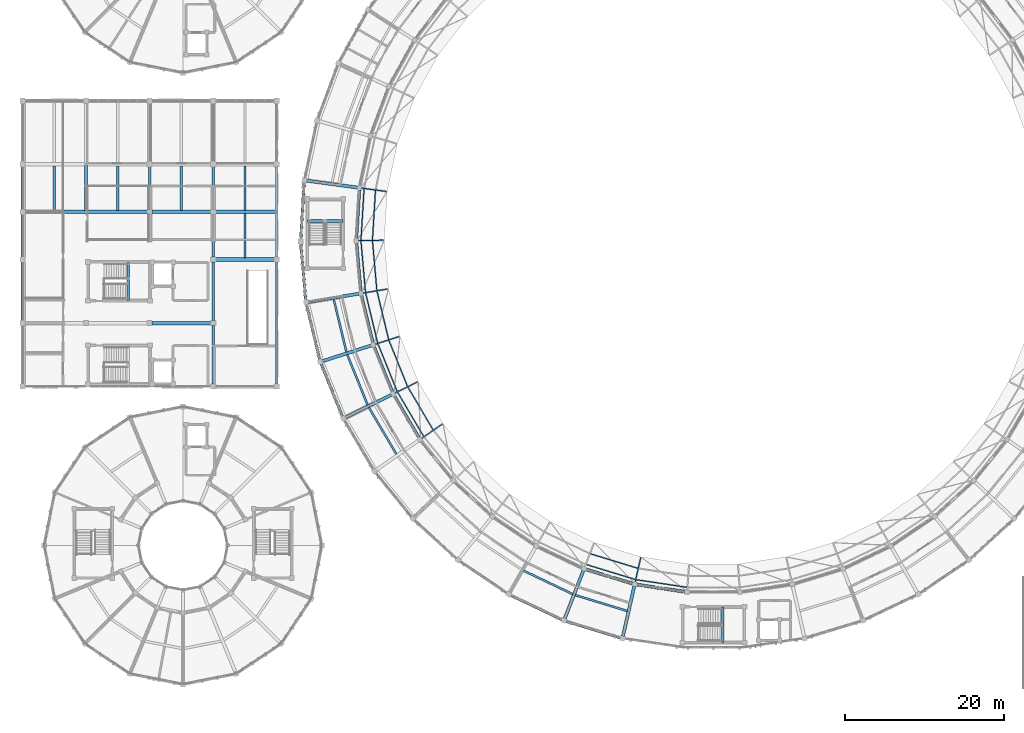
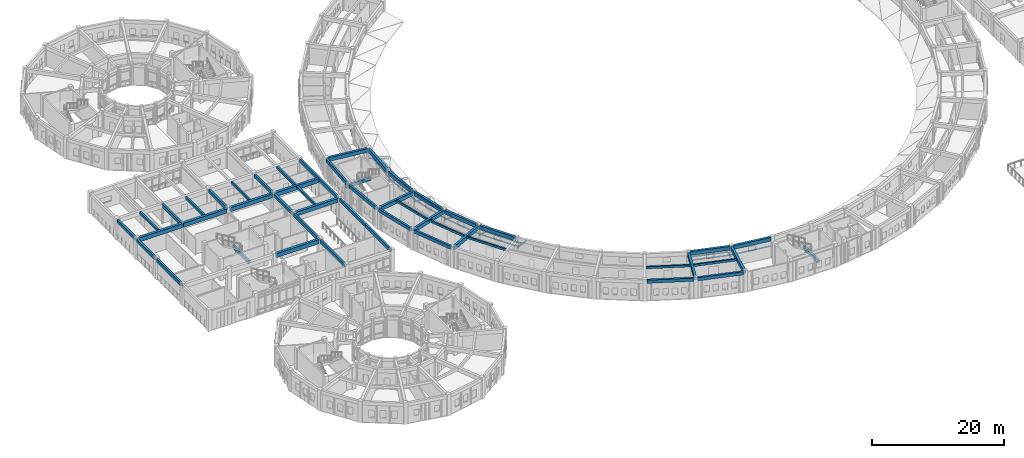
# One storey, part 20 of 112: 51 beams, 20 members.
"""IFC4 building model written with IfcOpenShell, lengths in metres."""

from ifc_helpers import new_model, si_unit, direction, frame, origin, origin_2d, place, context, subcontext, project, spatial, rectangle, i_section, extrude, material, material_profile, profile_set, type_object, element, save


model = new_model("IFC4")

# Units and contexts
model_context = context("Model", 3, precision=1e-05, world=origin(), true_north=direction((0.0, 1.0)))
body_context = subcontext(model_context, "Body", "Model", "MODEL_VIEW")
ifc_project = project(units=[si_unit("LENGTHUNIT", "METRE"), si_unit("AREAUNIT", "SQUARE_METRE"), si_unit("VOLUMEUNIT", "CUBIC_METRE"), si_unit("PLANEANGLEUNIT", "RADIAN"), si_unit("MASSUNIT", "GRAM", prefix="KILO")], contexts=[model_context])

# Site, building, storey
site_placement = place(None, origin())
site = spatial("IfcSite", under=ifc_project, at=site_placement, CompositionType="ELEMENT")
building_placement = place(site_placement, origin())
building = spatial("IfcBuilding", under=site, at=building_placement, Name="Celadon Cloister-Ring School", CompositionType="ELEMENT")
storey_placement = place(building_placement, frame((0.0, 0.0, 8.5)))
storey = spatial("IfcBuildingStorey", under=building, at=storey_placement, Name="L02", CompositionType="ELEMENT", Elevation=8.5)

# Beams
ifc_material_1 = material(Name="Concrete C35/45", Category="concrete")
ifc_material_profile_1 = material_profile(ifc_material_1, rectangle(XDim=0.35009765625, YDim=0.60009765625, at=origin_2d()), Name="RC350X600")
ifc_profile_set_1 = profile_set([ifc_material_profile_1], Name="Concrete C35/45")
beam_type_1 = type_object("IfcBeamType", Name="BT-02", PredefinedType="BEAM", material=ifc_profile_set_1)
beam_1_placement = place(storey_placement, frame((0.0, 48.300048828125, 3.4599609375), z_axis=(0.0, 1.0, 0.0), x_axis=(-1.0, 0.0, 0.0)))
element("IfcBeam", 1, at=beam_1_placement, inside=storey, type_object=beam_type_1, Name="Beam 1576", PredefinedType="BEAM", context=body_context, shape_type="SweptSolid", body=[
    extrude(rectangle(XDim=0.35009765625, YDim=0.60009765625, at=origin_2d()), origin(), (0.0, 0.0, 1.0), 7.39990234375),
])
for number, where, z_axis, x_axis, name in (
    (2, (0.0, 56.300048828125, 3.4599609375), (0.0, 1.0, 0.0), (-1.0, 0.0, 0.0), "Beam 1577"),
    (3, (0.0, 62.300048828125, 3.4599609375), (0.0, 1.0, 0.0), (-1.0, 0.0, 0.0), "Beam 1578"),
):
    element("IfcBeam", number, at=place(storey_placement, frame(where, z_axis=z_axis, x_axis=x_axis)), inside=storey, type_object=beam_type_1, Name=name, PredefinedType="BEAM", context=body_context, shape_type="SweptSolid", body=[
        extrude(rectangle(XDim=0.35009765625, YDim=0.60009765625, at=origin_2d()), origin(), (0.0, 0.0, 1.0), 5.39990234375),
    ])
beam_2_placement = place(storey_placement, frame((8.0, 62.0849609375, 3.4599609375), z_axis=(0.0, 1.0, 0.0), x_axis=(-1.0, 0.0, 0.0)))
element("IfcBeam", 4, at=beam_2_placement, inside=storey, type_object=beam_type_1, Name="Beam 1580", PredefinedType="BEAM", context=body_context, shape_type="SweptSolid", body=[
    extrude(rectangle(XDim=0.35009765625, YDim=0.60009765625, at=origin_2d()), origin(), (0.0, 0.0, 1.0), 5.830078125),
])
beam_3_placement = place(storey_placement, frame((16.0, 62.300048828125, 3.4599609375), z_axis=(0.0, 1.0, 0.0), x_axis=(-1.0, 0.0, 0.0)))
element("IfcBeam", 5, at=beam_3_placement, inside=storey, type_object=beam_type_1, Name="Beam 1582", PredefinedType="BEAM", context=body_context, shape_type="SweptSolid", body=[
    extrude(rectangle(XDim=0.35009765625, YDim=0.60009765625, at=origin_2d()), origin(), (0.0, 0.0, 1.0), 5.39990234375),
])
for number, where, z_axis, x_axis, name in (
    (6, (24.0, 40.300048828125, 3.4599609375), (0.0, 1.0, 0.0), (-1.0, 0.0, 0.0), "Beam 1584"),
    (7, (24.0, 48.300048828125, 3.4599609375), (0.0, 1.0, 0.0), (-1.0, 0.0, 0.0), "Beam 1585"),
):
    element("IfcBeam", number, at=place(storey_placement, frame(where, z_axis=z_axis, x_axis=x_axis)), inside=storey, type_object=beam_type_1, Name=name, PredefinedType="BEAM", context=body_context, shape_type="SweptSolid", body=[
        extrude(rectangle(XDim=0.35009765625, YDim=0.60009765625, at=origin_2d()), origin(), (0.0, 0.0, 1.0), 7.39990234375),
    ])
for number, where, z_axis, x_axis, name in (
    (8, (24.0, 56.300048828125, 3.4599609375), (0.0, 1.0, 0.0), (-1.0, 0.0, 0.0), "Beam 1586"),
    (9, (24.0, 62.300048828125, 3.4599609375), (0.0, 1.0, 0.0), (-1.0, 0.0, 0.0), "Beam 1587"),
):
    element("IfcBeam", number, at=place(storey_placement, frame(where, z_axis=z_axis, x_axis=x_axis)), inside=storey, type_object=beam_type_1, Name=name, PredefinedType="BEAM", context=body_context, shape_type="SweptSolid", body=[
        extrude(rectangle(XDim=0.35009765625, YDim=0.60009765625, at=origin_2d()), origin(), (0.0, 0.0, 1.0), 5.39990234375),
    ])
for number, where, z_axis, x_axis, name in (
    (10, (32.0, 40.300048828125, 3.4599609375), (0.0, 1.0, 0.0), (-1.0, 0.0, 0.0), "Beam 1589"),
    (11, (32.0, 48.0849609375, 3.4599609375), (0.0, 1.0, 0.0), (-1.0, 0.0, 0.0), "Beam 1590"),
):
    element("IfcBeam", number, at=place(storey_placement, frame(where, z_axis=z_axis, x_axis=x_axis)), inside=storey, type_object=beam_type_1, Name=name, PredefinedType="BEAM", context=body_context, shape_type="SweptSolid", body=[
        extrude(rectangle(XDim=0.35009765625, YDim=0.60009765625, at=origin_2d()), origin(), (0.0, 0.0, 1.0), 7.614990234375),
    ])
for number, where, z_axis, x_axis, name in (
    (12, (32.0, 56.300048828125, 3.4599609375), (0.0, 1.0, 0.0), (-1.0, 0.0, 0.0), "Beam 1591"),
    (13, (32.0, 62.0849609375, 3.4599609375), (0.0, 1.0, 0.0), (-1.0, 0.0, 0.0), "Beam 1592"),
):
    element("IfcBeam", number, at=place(storey_placement, frame(where, z_axis=z_axis, x_axis=x_axis)), inside=storey, type_object=beam_type_1, Name=name, PredefinedType="BEAM", context=body_context, shape_type="SweptSolid", body=[
        extrude(rectangle(XDim=0.35009765625, YDim=0.60009765625, at=origin_2d()), origin(), (0.0, 0.0, 1.0), 5.614990234375),
    ])
beam_4_placement = place(storey_placement, frame((13.300048828125, 50.85009765625, 1.39990234375), z_axis=(0.0, 1.0, 0.0), x_axis=(-1.0, 0.0, 0.0)))
element("IfcBeam", 14, at=beam_4_placement, inside=storey, type_object=beam_type_1, Name="Stair Landing Beam 1728", PredefinedType="BEAM", context=body_context, shape_type="SweptSolid", body=[
    extrude(rectangle(XDim=0.35009765625, YDim=0.60009765625, at=origin_2d()), origin(), (0.0, 0.0, 1.0), 4.7998046875),
])
beam_5_placement = place(storey_placement, frame((88.14990234375, 7.800048828125, 1.39990234375), z_axis=(0.0, 1.0, 0.0), x_axis=(-1.0, 0.0, 0.0)))
element("IfcBeam", 15, at=beam_5_placement, inside=storey, type_object=beam_type_1, Name="Stair Landing Beam 1753", PredefinedType="BEAM", context=body_context, shape_type="SweptSolid", body=[
    extrude(rectangle(XDim=0.35009765625, YDim=0.60009765625, at=origin_2d()), origin(), (0.0, 0.0, 1.0), 4.419921875),
])
beam_6_placement = place(storey_placement, frame((35.89990234375, 60.85009765625, 1.39990234375), z_axis=(1.0, 0.0, 0.0), x_axis=(0.0, 1.0, 0.0)))
element("IfcBeam", 16, at=beam_6_placement, inside=storey, type_object=beam_type_1, Name="Stair Landing Beam 1756", PredefinedType="BEAM", context=body_context, shape_type="SweptSolid", body=[
    extrude(rectangle(XDim=0.35009765625, YDim=0.60009765625, at=origin_2d()), origin(), (0.0, 0.0, 1.0), 4.420166015625),
])
ifc_material_2 = material(Name="Concrete C35/45", Category="concrete")
ifc_material_profile_2 = material_profile(ifc_material_2, rectangle(XDim=0.449951171875, YDim=0.75, at=origin_2d()), Name="RC450X750")
ifc_profile_set_2 = profile_set([ifc_material_profile_2], Name="Concrete C35/45")
beam_type_2 = type_object("IfcBeamType", Name="GT-02", PredefinedType="USERDEFINED", material=ifc_profile_set_2)
for number, where, z_axis, x_axis, name in (
    (17, (16.300048828125, 48.0, 3.385009765625), (1.0, 0.0, 0.0), (0.0, 1.0, 0.0), "Beam 1561"),
    (18, (24.300048828125, 56.0, 3.385009765625), (1.0, 0.0, 0.0), (0.0, 1.0, 0.0), "Beam 1562"),
):
    element("IfcBeam", number, at=place(storey_placement, frame(where, z_axis=z_axis, x_axis=x_axis)), inside=storey, type_object=beam_type_2, Name=name, ObjectType="GIRDER", PredefinedType="USERDEFINED", context=body_context, shape_type="SweptSolid", body=[
        extrude(rectangle(XDim=0.449951171875, YDim=0.75, at=origin_2d()), origin(), (0.0, 0.0, 1.0), 7.39990234375),
    ])
for number, where, z_axis, x_axis, name in (
    (19, (0.300048828125, 62.0, 3.385009765625), (1.0, 0.0, 0.0), (0.0, 1.0, 0.0), "Beam 1563"),
    (20, (8.0849609375, 62.0, 3.385009765625), (1.0, 0.0, 0.0), (0.0, 1.0, 0.0), "Beam 1564"),
):
    element("IfcBeam", number, at=place(storey_placement, frame(where, z_axis=z_axis, x_axis=x_axis)), inside=storey, type_object=beam_type_2, Name=name, ObjectType="GIRDER", PredefinedType="USERDEFINED", context=body_context, shape_type="SweptSolid", body=[
        extrude(rectangle(XDim=0.449951171875, YDim=0.75, at=origin_2d()), origin(), (0.0, 0.0, 1.0), 7.614990234375),
    ])
beam_7_placement = place(storey_placement, frame((16.300048828125, 62.0, 3.385009765625), z_axis=(1.0, 0.0, 0.0), x_axis=(0.0, 1.0, 0.0)))
element("IfcBeam", 21, at=beam_7_placement, inside=storey, type_object=beam_type_2, Name="Beam 1565", ObjectType="GIRDER", PredefinedType="USERDEFINED", context=body_context, shape_type="SweptSolid", body=[
    extrude(rectangle(XDim=0.449951171875, YDim=0.75, at=origin_2d()), origin(), (0.0, 0.0, 1.0), 7.39990234375),
])
beam_8_placement = place(storey_placement, frame((24.300048828125, 62.0, 3.385009765625), z_axis=(1.0, 0.0, 0.0), x_axis=(0.0, 1.0, 0.0)))
element("IfcBeam", 22, at=beam_8_placement, inside=storey, type_object=beam_type_2, Name="Beam 1566", ObjectType="GIRDER", PredefinedType="USERDEFINED", context=body_context, shape_type="SweptSolid", body=[
    extrude(rectangle(XDim=0.449951171875, YDim=0.75, at=origin_2d()), origin(), (0.0, 0.0, 1.0), 7.614990234375),
])
ifc_material_3 = material(Name="Concrete C35/45", Category="concrete")
ifc_material_profile_3 = material_profile(ifc_material_3, rectangle(XDim=0.39990234375, YDim=0.699951171875, at=origin_2d()), Name="RC400X700")
ifc_profile_set_3 = profile_set([ifc_material_profile_3], Name="Concrete C35/45")
beam_type_3 = type_object("IfcBeamType", Name="GT-03", PredefinedType="USERDEFINED", material=ifc_profile_set_3)
beam_9_placement = place(storey_placement, frame((35.741943359375, 65.93408203125, 3.449951171875), z_axis=(0.990969152205, -0.134090042056, 0.0), x_axis=(0.134090042056, 0.990969152205, 0.0)))
element("IfcBeam", 23, at=beam_9_placement, inside=storey, type_object=beam_type_3, Name="Beam 0403", ObjectType="GIRDER", PredefinedType="USERDEFINED", context=body_context, shape_type="SweptSolid", body=[
    extrude(rectangle(XDim=0.39990234375, YDim=0.699951171875, at=origin_2d()), origin(), (0.0, 0.0, 1.0), 6.474365234375),
])
beam_10_placement = place(storey_placement, frame((35.952880859375, 50.65087890625, 3.449951171875), z_axis=(0.986862671794, 0.161561341355, 0.0), x_axis=(-0.161561341355, 0.986862671794, 0.0)))
element("IfcBeam", 24, at=beam_10_placement, inside=storey, type_object=beam_type_3, Name="Beam 0404", ObjectType="GIRDER", PredefinedType="USERDEFINED", context=body_context, shape_type="SweptSolid", body=[
    extrude(rectangle(XDim=0.39990234375, YDim=0.699951171875, at=origin_2d()), origin(), (0.0, 0.0, 1.0), 6.47509765625),
])
beam_11_placement = place(storey_placement, frame((37.7470703125, 43.201904296875, 3.449951171875), z_axis=(0.952190069452, 0.305506254661, 0.0), x_axis=(-0.305506254661, 0.952190069452, 0.0)))
element("IfcBeam", 25, at=beam_11_placement, inside=storey, type_object=beam_type_3, Name="Beam 0405", ObjectType="GIRDER", PredefinedType="USERDEFINED", context=body_context, shape_type="SweptSolid", body=[
    extrude(rectangle(XDim=0.39990234375, YDim=0.699951171875, at=origin_2d()), origin(), (0.0, 0.0, 1.0), 6.474609375),
])
beam_12_placement = place(storey_placement, frame((40.6220703125, 36.09912109375, 3.449951171875), z_axis=(0.896670978235, 0.442697590676, 0.0), x_axis=(-0.442697590676, 0.896670978235, 0.0)))
element("IfcBeam", 26, at=beam_12_placement, inside=storey, type_object=beam_type_3, Name="Beam 0406", ObjectType="GIRDER", PredefinedType="USERDEFINED", context=body_context, shape_type="SweptSolid", body=[
    extrude(rectangle(XDim=0.39990234375, YDim=0.699951171875, at=origin_2d()), origin(), (0.0, 0.0, 1.0), 6.473876953125),
])
for number, where, z_axis, x_axis, name in (
    (27, (68.261962890625, 10.7880859375, 3.449951171875), (0.362135117288, 0.932125612151, 0.0), (-0.932125612151, 0.362135117288, 0.0), "Beam 0411"),
    (28, (75.590087890625, 8.549072265625, 3.449951171875), (0.220525868095, 0.975381126279, 0.0), (-0.975381126279, 0.220525868095, 0.0), "Beam 0412"),
):
    element("IfcBeam", number, at=place(storey_placement, frame(where, z_axis=z_axis, x_axis=x_axis)), inside=storey, type_object=beam_type_3, Name=name, ObjectType="GIRDER", PredefinedType="USERDEFINED", context=body_context, shape_type="SweptSolid", body=[
        extrude(rectangle(XDim=0.39990234375, YDim=0.699951171875, at=origin_2d()), origin(), (0.0, 0.0, 1.0), 6.475341796875),
    ])
beam_13_placement = place(storey_placement, frame((42.39111328125, 64.781982421875, 3.449951171875), z_axis=(-0.060349198433, -0.998177326054, 0.0), x_axis=(0.998177326054, -0.060349198433, 0.0)))
element("IfcBeam", 29, at=beam_13_placement, inside=storey, type_object=beam_type_3, Name="Beam 0448", ObjectType="GIRDER", PredefinedType="USERDEFINED", context=body_context, shape_type="SweptSolid", body=[
    extrude(rectangle(XDim=0.39990234375, YDim=0.699951171875, at=origin_2d()), origin(), (0.0, 0.0, 1.0), 6.165283203125),
])
beam_14_placement = place(storey_placement, frame((42.02587890625, 58.12890625, 3.449951171875), z_axis=(0.087929628242, -0.996126688969, 0.0), x_axis=(0.996126688969, 0.087929628242, 0.0)))
element("IfcBeam", 30, at=beam_14_placement, inside=storey, type_object=beam_type_3, Name="Beam 0450", ObjectType="GIRDER", PredefinedType="USERDEFINED", context=body_context, shape_type="SweptSolid", body=[
    extrude(rectangle(XDim=0.39990234375, YDim=0.699951171875, at=origin_2d()), origin(), (0.0, 0.0, 1.0), 6.166748046875),
])
for number, where, z_axis, x_axis, name in (
    (31, (42.64892578125, 51.493896484375, 3.449951171875), (0.233889575607, -0.972263167266, 0.0), (0.972263167266, 0.233889575607, 0.0), "Beam 0452"),
    (32, (44.243896484375, 45.02392578125, 3.449951171875), (0.375114995273, -0.926978284709, 0.0), (0.926978284709, 0.375114995273, 0.0), "Beam 0455"),
):
    element("IfcBeam", number, at=place(storey_placement, frame(where, z_axis=z_axis, x_axis=x_axis)), inside=storey, type_object=beam_type_3, Name=name, ObjectType="GIRDER", PredefinedType="USERDEFINED", context=body_context, shape_type="SweptSolid", body=[
        extrude(rectangle(XDim=0.39990234375, YDim=0.699951171875, at=origin_2d()), origin(), (0.0, 0.0, 1.0), 6.166015625),
    ])
beam_15_placement = place(storey_placement, frame((46.778076171875, 38.861083984375, 3.449951171875), z_axis=(0.507926281774, -0.861400541144, 0.0), x_axis=(0.861400541144, 0.507926281774, 0.0)))
element("IfcBeam", 33, at=beam_15_placement, inside=storey, type_object=beam_type_3, Name="Beam 0458", ObjectType="GIRDER", PredefinedType="USERDEFINED", context=body_context, shape_type="SweptSolid", body=[
    extrude(rectangle(XDim=0.39990234375, YDim=0.699951171875, at=origin_2d()), origin(), (0.0, 0.0, 1.0), 6.16796875),
])
beam_16_placement = place(storey_placement, frame((70.93701171875, 16.98388671875, 3.449951171875), z_axis=(0.956344808861, -0.292240665488, 0.0), x_axis=(0.292240665488, 0.956344808861, 0.0)))
element("IfcBeam", 34, at=beam_16_placement, inside=storey, type_object=beam_type_3, Name="Beam 0473", ObjectType="GIRDER", PredefinedType="USERDEFINED", context=body_context, shape_type="SweptSolid", body=[
    extrude(rectangle(XDim=0.39990234375, YDim=0.699951171875, at=origin_2d()), origin(), (0.0, 0.0, 1.0), 6.166259765625),
])
beam_17_placement = place(storey_placement, frame((77.320068359375, 15.072021484375, 3.449951171875), z_axis=(0.989027626238, -0.147730682454, 0.0), x_axis=(0.147730682454, 0.989027626238, 0.0)))
element("IfcBeam", 35, at=beam_17_placement, inside=storey, type_object=beam_type_3, Name="Beam 0475", ObjectType="GIRDER", PredefinedType="USERDEFINED", context=body_context, shape_type="SweptSolid", body=[
    extrude(rectangle(XDim=0.39990234375, YDim=0.699951171875, at=origin_2d()), origin(), (0.0, 0.0, 1.0), 6.16748046875),
])
ifc_material_4 = material(Name="Concrete C35/45", Category="concrete")
ifc_material_profile_4 = material_profile(ifc_material_4, rectangle(XDim=0.300048828125, YDim=0.449951171875, at=origin_2d()), Name="RC300X450")
ifc_profile_set_4 = profile_set([ifc_material_profile_4], Name="Concrete C35/45")
beam_type_4 = type_object("IfcBeamType", Name="JT-01", PredefinedType="JOIST", material=ifc_profile_set_4)
for number, where, z_axis, x_axis, name in (
    (36, (4.0, 62.199951171875, 3.534912109375), (0.0, 1.0, 0.0), (-1.0, 0.0, 0.0), "Beam 1594"),
    (37, (12.0, 62.199951171875, 3.534912109375), (0.0, 1.0, 0.0), (-1.0, 0.0, 0.0), "Beam 1596"),
    (38, (20.0, 62.199951171875, 3.534912109375), (0.0, 1.0, 0.0), (-1.0, 0.0, 0.0), "Beam 1598"),
    (39, (28.0, 56.199951171875, 3.534912109375), (0.0, 1.0, 0.0), (-1.0, 0.0, 0.0), "Beam 1600"),
    (40, (28.0, 62.199951171875, 3.534912109375), (0.0, 1.0, 0.0), (-1.0, 0.0, 0.0), "Beam 1601"),
):
    element("IfcBeam", number, at=place(storey_placement, frame(where, z_axis=z_axis, x_axis=x_axis)), inside=storey, type_object=beam_type_4, Name=name, PredefinedType="JOIST", context=body_context, shape_type="SweptSolid", body=[
        extrude(rectangle(XDim=0.300048828125, YDim=0.449951171875, at=origin_2d()), origin(), (0.0, 0.0, 1.0), 5.60009765625),
    ])
ifc_material_5 = material(Name="Concrete C35/45", Category="concrete")
ifc_material_profile_5 = material_profile(ifc_material_5, rectangle(XDim=0.25, YDim=0.39990234375, at=origin_2d()), Name="RC250X400")
ifc_profile_set_5 = profile_set([ifc_material_profile_5], Name="Concrete C35/45")
beam_type_5 = type_object("IfcBeamType", Name="JT-02", PredefinedType="JOIST", material=ifc_profile_set_5)
beam_18_placement = place(storey_placement, frame((39.177001953125, 51.001953125, 3.60009765625), z_axis=(0.234105107491, -0.972211293211, 0.0), x_axis=(0.972211293211, 0.234105107491, 0.0)))
element("IfcBeam", 41, at=beam_18_placement, inside=storey, type_object=beam_type_5, Name="Beam 0453", PredefinedType="JOIST", context=body_context, shape_type="SweptSolid", body=[
    extrude(rectangle(XDim=0.25, YDim=0.39990234375, at=origin_2d()), origin(), (0.0, 0.0, 1.0), 6.8349609375),
])
beam_19_placement = place(storey_placement, frame((40.884033203125, 44.02490234375, 3.60009765625), z_axis=(0.374947237953, -0.927046152439, 0.0), x_axis=(0.927046152439, 0.374947237953, 0.0)))
element("IfcBeam", 42, at=beam_19_placement, inside=storey, type_object=beam_type_5, Name="Beam 0456", PredefinedType="JOIST", context=body_context, shape_type="SweptSolid", body=[
    extrude(rectangle(XDim=0.25, YDim=0.39990234375, at=origin_2d()), origin(), (0.0, 0.0, 1.0), 6.835693359375),
])
beam_20_placement = place(storey_placement, frame((43.60205078125, 37.375, 3.60009765625), z_axis=(0.507998611561, -0.861357887671, 0.0), x_axis=(0.861357887671, 0.507998611561, 0.0)))
element("IfcBeam", 43, at=beam_20_placement, inside=storey, type_object=beam_type_5, Name="Beam 0459", PredefinedType="JOIST", context=body_context, shape_type="SweptSolid", body=[
    extrude(rectangle(XDim=0.25, YDim=0.39990234375, at=origin_2d()), origin(), (0.0, 0.0, 1.0), 6.83447265625),
])
beam_21_placement = place(storey_placement, frame((63.10205078125, 16.81103515625, 3.60009765625), z_axis=(0.902698033941, -0.43027463267, 0.0), x_axis=(0.43027463267, 0.902698033941, 0.0)))
element("IfcBeam", 44, at=beam_21_placement, inside=storey, type_object=beam_type_5, Name="Beam 0471", PredefinedType="JOIST", context=body_context, shape_type="SweptSolid", body=[
    extrude(rectangle(XDim=0.25, YDim=0.39990234375, at=origin_2d()), origin(), (0.0, 0.0, 1.0), 6.8349609375),
])
beam_22_placement = place(storey_placement, frame((69.596923828125, 13.743896484375, 3.60009765625), z_axis=(0.956337152336, -0.292265719957, 0.0), x_axis=(0.292265719957, 0.956337152336, 0.0)))
element("IfcBeam", 45, at=beam_22_placement, inside=storey, type_object=beam_type_5, Name="Beam 0474", PredefinedType="JOIST", context=body_context, shape_type="SweptSolid", body=[
    extrude(rectangle(XDim=0.25, YDim=0.39990234375, at=origin_2d()), origin(), (0.0, 0.0, 1.0), 6.83544921875),
])

# Members
ifc_material_6 = material(Name="Structural steel S355JR", Category="steel")
ifc_material_profile_6 = material_profile(ifc_material_6, i_section(OverallWidth=0.133056640625, OverallDepth=0.20703125, WebThickness=0.005859375, FlangeThickness=0.00830078125, at=origin_2d()), Name="W200X27")
ifc_profile_set_6 = profile_set([ifc_material_profile_6], Name="Structural steel S355JR")
member_type_1 = type_object("IfcMemberType", Name="MP-04", PredefinedType="PURLIN", material=ifc_profile_set_6)
member_1_placement = place(storey_placement, frame((44.43798828125, 64.758056640625, 1.23291015625), z_axis=(-0.060347953428, -0.998177401326, 0.0), x_axis=(0.998177401326, -0.060347953428, 0.0)))
element("IfcMember", 46, at=member_1_placement, inside=storey, type_object=member_type_1, Name="Structural Member 0105", PredefinedType="PURLIN", context=body_context, shape_type="SweptSolid", body=[
    extrude(i_section(OverallWidth=0.133056640625, OverallDepth=0.20703125, WebThickness=0.005859375, FlangeThickness=0.00830078125, at=origin_2d()), origin(), (0.0, 0.0, 1.0), 6.36376953125),
])
member_2_placement = place(storey_placement, frame((43.0009765625, 64.951904296875, 1.62890625), z_axis=(-0.060349383282, -0.998177314878, 0.0), x_axis=(0.998177314878, -0.060349383282, 0.0)))
element("IfcMember", 47, at=member_2_placement, inside=storey, type_object=member_type_1, Name="Structural Member 0106", PredefinedType="PURLIN", context=body_context, shape_type="SweptSolid", body=[
    extrude(i_section(OverallWidth=0.133056640625, OverallDepth=0.20703125, WebThickness=0.005859375, FlangeThickness=0.00830078125, at=origin_2d()), origin(), (0.0, 0.0, 1.0), 6.577880859375),
])
member_3_placement = place(storey_placement, frame((44.053955078125, 58.406005859375, 1.23291015625), z_axis=(0.087871413003, -0.996131826003, 0.0), x_axis=(0.996131826003, 0.087871413003, 0.0)))
element("IfcMember", 48, at=member_3_placement, inside=storey, type_object=member_type_1, Name="Structural Member 0110", PredefinedType="PURLIN", context=body_context, shape_type="SweptSolid", body=[
    extrude(i_section(OverallWidth=0.133056640625, OverallDepth=0.20703125, WebThickness=0.005859375, FlangeThickness=0.00830078125, at=origin_2d()), origin(), (0.0, 0.0, 1.0), 6.362548828125),
])
member_4_placement = place(storey_placement, frame((42.60400390625, 58.385986328125, 1.62890625), z_axis=(0.087858062359, -0.996133003609, 0.0), x_axis=(0.996133003609, 0.087858062359, 0.0)))
element("IfcMember", 49, at=member_4_placement, inside=storey, type_object=member_type_1, Name="Structural Member 0111", PredefinedType="PURLIN", context=body_context, shape_type="SweptSolid", body=[
    extrude(i_section(OverallWidth=0.133056640625, OverallDepth=0.20703125, WebThickness=0.005859375, FlangeThickness=0.00830078125, at=origin_2d()), origin(), (0.0, 0.0, 1.0), 6.577392578125),
])
member_5_placement = place(storey_placement, frame((44.613037109375, 52.068115234375, 1.23291015625), z_axis=(0.234021599775, -0.972231397785, 0.0), x_axis=(0.972231397785, 0.234021599775, 0.0)))
element("IfcMember", 50, at=member_5_placement, inside=storey, type_object=member_type_1, Name="Structural Member 0115", PredefinedType="PURLIN", context=body_context, shape_type="SweptSolid", body=[
    extrude(i_section(OverallWidth=0.133056640625, OverallDepth=0.20703125, WebThickness=0.005859375, FlangeThickness=0.00830078125, at=origin_2d()), origin(), (0.0, 0.0, 1.0), 6.36279296875),
])
member_6_placement = place(storey_placement, frame((43.181884765625, 51.833984375, 1.62890625), z_axis=(0.234125302045, -0.97220643021, 0.0), x_axis=(0.97220643021, 0.234125302045, 0.0)))
element("IfcMember", 51, at=member_6_placement, inside=storey, type_object=member_type_1, Name="Structural Member 0116", PredefinedType="PURLIN", context=body_context, shape_type="SweptSolid", body=[
    extrude(i_section(OverallWidth=0.133056640625, OverallDepth=0.20703125, WebThickness=0.005859375, FlangeThickness=0.00830078125, at=origin_2d()), origin(), (0.0, 0.0, 1.0), 6.577880859375),
])
member_7_placement = place(storey_placement, frame((46.10205078125, 45.882080078125, 1.23291015625), z_axis=(0.375138594984, -0.926968734399, 0.0), x_axis=(0.926968734399, 0.375138594984, 0.0)))
element("IfcMember", 52, at=member_7_placement, inside=storey, type_object=member_type_1, Name="Structural Member 0120", PredefinedType="PURLIN", context=body_context, shape_type="SweptSolid", body=[
    extrude(i_section(OverallWidth=0.133056640625, OverallDepth=0.20703125, WebThickness=0.005859375, FlangeThickness=0.00830078125, at=origin_2d()), origin(), (0.0, 0.0, 1.0), 6.36279296875),
])
member_8_placement = place(storey_placement, frame((44.721923828125, 45.43896484375, 1.62890625), z_axis=(0.375093275843, -0.92698707349, 0.0), x_axis=(0.92698707349, 0.375093275843, 0.0)))
element("IfcMember", 53, at=member_8_placement, inside=storey, type_object=member_type_1, Name="Structural Member 0121", PredefinedType="PURLIN", context=body_context, shape_type="SweptSolid", body=[
    extrude(i_section(OverallWidth=0.133056640625, OverallDepth=0.20703125, WebThickness=0.005859375, FlangeThickness=0.00830078125, at=origin_2d()), origin(), (0.0, 0.0, 1.0), 6.5771484375),
])
member_9_placement = place(storey_placement, frame((48.489013671875, 39.98388671875, 1.23291015625), z_axis=(0.507935382075, -0.861395175071, 0.0), x_axis=(0.861395175071, 0.507935382075, 0.0)))
element("IfcMember", 54, at=member_9_placement, inside=storey, type_object=member_type_1, Name="Structural Member 0125", PredefinedType="PURLIN", context=body_context, shape_type="SweptSolid", body=[
    extrude(i_section(OverallWidth=0.133056640625, OverallDepth=0.20703125, WebThickness=0.005859375, FlangeThickness=0.00830078125, at=origin_2d()), origin(), (0.0, 0.0, 1.0), 6.36279296875),
])
member_10_placement = place(storey_placement, frame((47.18896484375, 39.342041015625, 1.62890625), z_axis=(0.507936297224, -0.861394635439, 0.0), x_axis=(0.861394635439, 0.507936297224, 0.0)))
element("IfcMember", 55, at=member_10_placement, inside=storey, type_object=member_type_1, Name="Structural Member 0126", PredefinedType="PURLIN", context=body_context, shape_type="SweptSolid", body=[
    extrude(i_section(OverallWidth=0.133056640625, OverallDepth=0.20703125, WebThickness=0.005859375, FlangeThickness=0.00830078125, at=origin_2d()), origin(), (0.0, 0.0, 1.0), 6.57763671875),
])
member_11_placement = place(storey_placement, frame((71.43994140625, 18.968017578125, 1.23291015625), z_axis=(0.956315821171, -0.292335509609, 0.0), x_axis=(0.292335509609, 0.956315821171, 0.0)))
element("IfcMember", 56, at=member_11_placement, inside=storey, type_object=member_type_1, Name="Structural Member 0151", PredefinedType="PURLIN", context=body_context, shape_type="SweptSolid", body=[
    extrude(i_section(OverallWidth=0.133056640625, OverallDepth=0.20703125, WebThickness=0.005859375, FlangeThickness=0.00830078125, at=origin_2d()), origin(), (0.0, 0.0, 1.0), 6.363037109375),
])
member_12_placement = place(storey_placement, frame((70.9150390625, 17.615966796875, 1.62890625), z_axis=(0.956367704077, -0.292165731391, 0.0), x_axis=(0.292165731391, 0.956367704077, 0.0)))
element("IfcMember", 57, at=member_12_placement, inside=storey, type_object=member_type_1, Name="Structural Member 0152", PredefinedType="PURLIN", context=body_context, shape_type="SweptSolid", body=[
    extrude(i_section(OverallWidth=0.133056640625, OverallDepth=0.20703125, WebThickness=0.005859375, FlangeThickness=0.00830078125, at=origin_2d()), origin(), (0.0, 0.0, 1.0), 6.578125),
])
member_13_placement = place(storey_placement, frame((77.2060546875, 15.694091796875, 1.62890625), z_axis=(0.989015714028, -0.147810410346, 0.0), x_axis=(0.147810410346, 0.989015714028, 0.0)))
element("IfcMember", 58, at=member_13_placement, inside=storey, type_object=member_type_1, Name="Structural Member 0158", PredefinedType="PURLIN", context=body_context, shape_type="SweptSolid", body=[
    extrude(i_section(OverallWidth=0.133056640625, OverallDepth=0.20703125, WebThickness=0.005859375, FlangeThickness=0.00830078125, at=origin_2d()), origin(), (0.0, 0.0, 1.0), 6.5771484375),
])
ifc_material_7 = material(Name="Structural steel S355JR", Category="steel")
ifc_material_profile_7 = material_profile(ifc_material_7, i_section(OverallWidth=0.14599609375, OverallDepth=0.258056640625, WebThickness=0.006103515625, FlangeThickness=0.009033203125, at=origin_2d()), Name="W250X33")
ifc_profile_set_7 = profile_set([ifc_material_profile_7], Name="Structural steel S355JR")
member_type_2 = type_object("IfcMemberType", Name="MR-06", PredefinedType="RAFTER", material=ifc_profile_set_7)
member_14_placement = place(storey_placement, frame((45.77490234375, 64.576904296875, 0.912109375), z_axis=(-0.957236045192, 0.129495151325, 0.258708638372), x_axis=(-0.134059140757, -0.990973333032, 0.0)))
element("IfcMember", 59, at=member_14_placement, inside=storey, type_object=member_type_2, Name="Structural Member 0013", PredefinedType="RAFTER", context=body_context, shape_type="SweptSolid", body=[
    extrude(i_section(OverallWidth=0.14599609375, OverallDepth=0.258056640625, WebThickness=0.006103515625, FlangeThickness=0.009033203125, at=origin_2d()), origin(), (0.0, 0.0, 1.0), 3.467041015625),
])
member_15_placement = place(storey_placement, frame((45.404052734375, 58.425048828125, 0.912109375), z_axis=(-0.965889578499, -0.013303682432, 0.258612324108), x_axis=(0.01377219611, -0.99990515881, 0.0)))
element("IfcMember", 60, at=member_15_placement, inside=storey, type_object=member_type_2, Name="Structural Member 0015", PredefinedType="RAFTER", context=body_context, shape_type="SweptSolid", body=[
    extrude(i_section(OverallWidth=0.14599609375, OverallDepth=0.258056640625, WebThickness=0.006103515625, FlangeThickness=0.009033203125, at=origin_2d()), origin(), (0.0, 0.0, 1.0), 3.468505859375),
])
for number, where, z_axis, x_axis, name in (
    (61, (45.945068359375, 52.285888671875, 0.9130859375), (-0.953306829069, -0.155927826495, 0.258636042682), (0.161420173222, -0.986885772355, 0.0), "Structural Member 0017"),
    (62, (47.387939453125, 46.2939453125, 0.912109375), (-0.919833588762, -0.294971891697, 0.258645997636), (0.305362720103, -0.952236109991, 0.0), "Structural Member 0019"),
    (63, (49.699951171875, 40.5810546875, 0.9130859375), (-0.86615179345, -0.427655408421, 0.258634727661), (0.442718830222, -0.896660491695, 0.0), "Structural Member 0021"),
):
    element("IfcMember", number, at=place(storey_placement, frame(where, z_axis=z_axis, x_axis=x_axis)), inside=storey, type_object=member_type_2, Name=name, PredefinedType="RAFTER", context=body_context, shape_type="SweptSolid", body=[
        extrude(i_section(OverallWidth=0.14599609375, OverallDepth=0.258056640625, WebThickness=0.006103515625, FlangeThickness=0.009033203125, at=origin_2d()), origin(), (0.0, 0.0, 1.0), 3.468017578125),
    ])
member_16_placement = place(storey_placement, frame((52.830078125, 35.27294921875, 0.912109375), z_axis=(-0.793347971613, -0.551076905734, 0.258675936076), x_axis=(0.570494152945, -0.821301662883, 0.0)))
element("IfcMember", 64, at=member_16_placement, inside=storey, type_object=member_type_2, Name="Structural Member 0023", PredefinedType="RAFTER", context=body_context, shape_type="SweptSolid", body=[
    extrude(i_section(OverallWidth=0.14599609375, OverallDepth=0.258056640625, WebThickness=0.006103515625, FlangeThickness=0.009033203125, at=origin_2d()), origin(), (0.0, 0.0, 1.0), 3.467529296875),
])
member_17_placement = place(storey_placement, frame((77.822998046875, 18.425048828125, 0.9130859375), z_axis=(-0.213060207767, -0.94219489302, 0.258600331462), x_axis=(0.975372779542, -0.220562782285, 0.0)))
element("IfcMember", 65, at=member_17_placement, inside=storey, type_object=member_type_2, Name="Structural Member 0033", PredefinedType="RAFTER", context=body_context, shape_type="SweptSolid", body=[
    extrude(i_section(OverallWidth=0.14599609375, OverallDepth=0.258056640625, WebThickness=0.006103515625, FlangeThickness=0.009033203125, at=origin_2d()), origin(), (0.0, 0.0, 1.0), 3.468505859375),
])

# Beams
ifc_material_8 = material(Name="Concrete C35/45", Category="concrete")
ifc_material_profile_8 = material_profile(ifc_material_8, rectangle(XDim=0.35009765625, YDim=0.60009765625, at=origin_2d()), Name="RC350X600")
ifc_profile_set_8 = profile_set([ifc_material_profile_8], Name="Concrete C35/45")
beam_type_6 = type_object("IfcBeamType", Name="SP-01", PredefinedType="SPANDREL", material=ifc_profile_set_8)
beam_23_placement = place(storey_placement, frame((35.451904296875, 65.696044921875, 3.5), z_axis=(-0.060104502179, -0.99819209014, 0.0), x_axis=(0.99819209014, -0.060104502179, 0.0)))
element("IfcBeam", 66, at=beam_23_placement, inside=storey, type_object=beam_type_6, Name="Beam 0447", PredefinedType="SPANDREL", context=body_context, shape_type="SweptSolid", body=[
    extrude(rectangle(XDim=0.35009765625, YDim=0.60009765625, at=origin_2d()), origin(), (0.0, 0.0, 1.0), 7.153076171875),
])
beam_24_placement = place(storey_placement, frame((35.029052734375, 58.007080078125, 3.5), z_axis=(0.087913730485, -0.996128092161, 0.0), x_axis=(0.996128092161, 0.087913730485, 0.0)))
element("IfcBeam", 67, at=beam_24_placement, inside=storey, type_object=beam_type_6, Name="Beam 0449", PredefinedType="SPANDREL", context=body_context, shape_type="SweptSolid", body=[
    extrude(rectangle(XDim=0.35009765625, YDim=0.60009765625, at=origin_2d()), origin(), (0.0, 0.0, 1.0), 7.153564453125),
])
for number, where, z_axis, x_axis, name in (
    (68, (35.74609375, 50.340087890625, 3.5), (0.234111184794, -0.972209829797, 0.0), (0.972209829797, 0.234111184794, 0.0), "Beam 0451"),
    (69, (37.587890625, 42.863037109375, 3.5), (0.37520043771, -0.926943704624, 0.0), (0.926943704624, 0.37520043771, 0.0), "Beam 0454"),
):
    element("IfcBeam", number, at=place(storey_placement, frame(where, z_axis=z_axis, x_axis=x_axis)), inside=storey, type_object=beam_type_6, Name=name, PredefinedType="SPANDREL", context=body_context, shape_type="SweptSolid", body=[
        extrude(rectangle(XDim=0.35009765625, YDim=0.60009765625, at=origin_2d()), origin(), (0.0, 0.0, 1.0), 7.15380859375),
    ])
beam_25_placement = place(storey_placement, frame((61.4560546875, 13.72900390625, 3.5), z_axis=(0.90265099943, -0.430373295207, 0.0), x_axis=(0.430373295207, 0.90265099943, 0.0)))
element("IfcBeam", 70, at=beam_25_placement, inside=storey, type_object=beam_type_6, Name="Beam 0469", PredefinedType="SPANDREL", context=body_context, shape_type="SweptSolid", body=[
    extrude(rectangle(XDim=0.35009765625, YDim=0.60009765625, at=origin_2d()), origin(), (0.0, 0.0, 1.0), 7.154541015625),
])
beam_26_placement = place(storey_placement, frame((68.425048828125, 10.451904296875, 3.5), z_axis=(0.956332228316, -0.292281831601, 0.0), x_axis=(0.292281831601, 0.956332228316, 0.0)))
element("IfcBeam", 71, at=beam_26_placement, inside=storey, type_object=beam_type_6, Name="Beam 0472", PredefinedType="SPANDREL", context=body_context, shape_type="SweptSolid", body=[
    extrude(rectangle(XDim=0.35009765625, YDim=0.60009765625, at=origin_2d()), origin(), (0.0, 0.0, 1.0), 7.1533203125),
])

save(model, "model.ifc")
